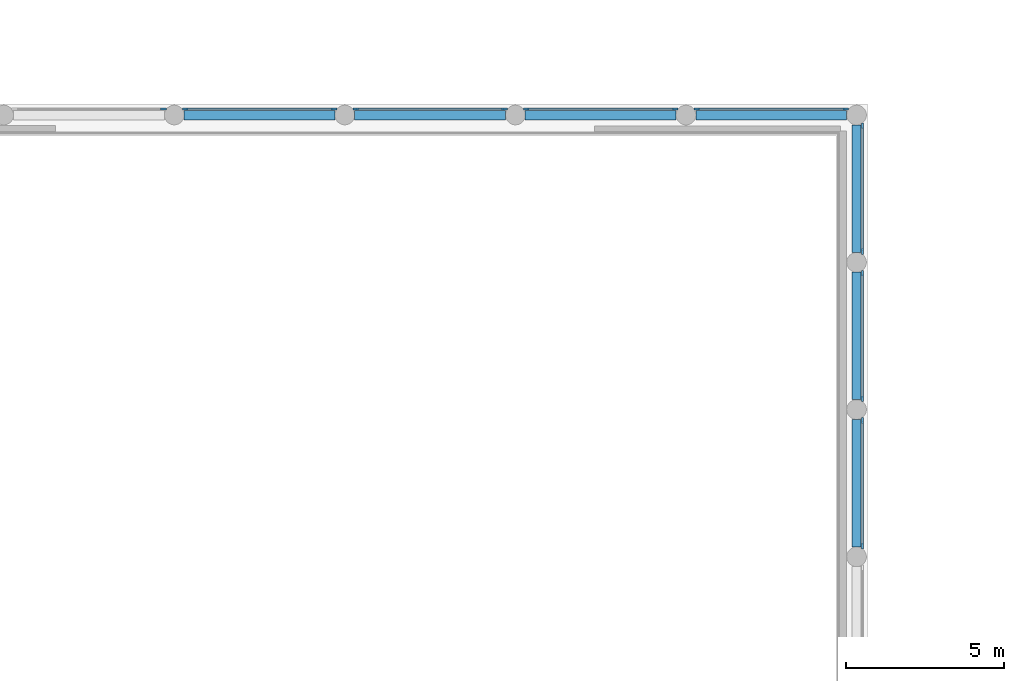
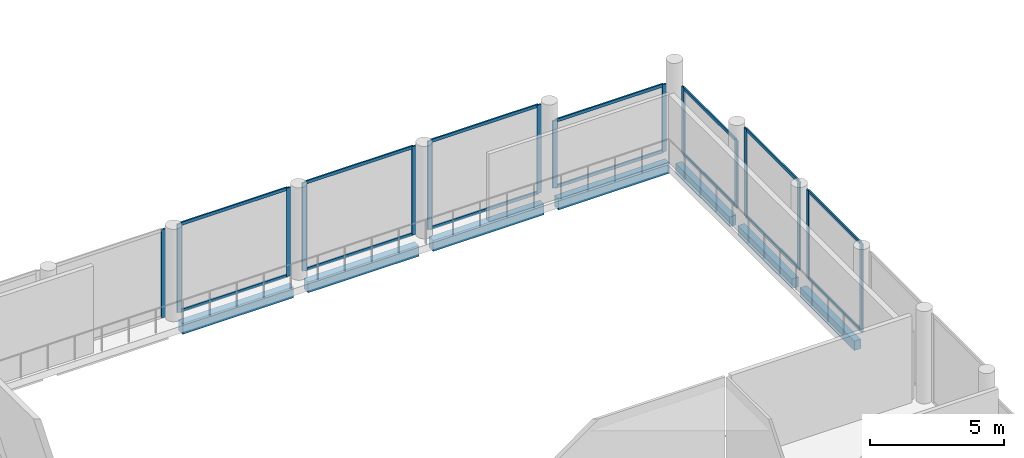
# One storey, part 16 of 66: 29 members, 7 beams, 8 elements without a shape of their own.
"""IFC4 building model written with IfcOpenShell, lengths in metres."""

from ifc_helpers import new_model, si_unit, direction, frame, origin, origin_2d, place, context, subcontext, project, spatial, rectangle, extrude, material, layer, layer_set, material_profile, profile_set, type_object, element, aggregate, save


model = new_model("IFC4")

# Units and contexts
model_context = context("Model", 3, precision=1e-05, world=origin(), true_north=direction((0.0, 1.0)))
body_context = subcontext(model_context, "Body", "Model", "MODEL_VIEW")
ifc_project = project(units=[si_unit("LENGTHUNIT", "METRE"), si_unit("AREAUNIT", "SQUARE_METRE"), si_unit("VOLUMEUNIT", "CUBIC_METRE"), si_unit("PLANEANGLEUNIT", "RADIAN"), si_unit("MASSUNIT", "GRAM", prefix="KILO")], contexts=[model_context])

# Site, building, storey
site_placement = place(None, origin())
site = spatial("IfcSite", under=ifc_project, at=site_placement, CompositionType="ELEMENT")
building_placement = place(site_placement, origin())
building = spatial("IfcBuilding", under=site, at=building_placement, Name="Birchvale Park Specialist Clinic", CompositionType="ELEMENT")
storey_placement = place(building_placement, frame((0.0, 0.0, 5.39990234375)))
storey = spatial("IfcBuildingStorey", under=building, at=storey_placement, Name="L01", CompositionType="ELEMENT", Elevation=5.39990234375)

# Beams
ifc_material_1 = material(Name="Concrete C40/50", Category="concrete")
ifc_material_profile_1 = material_profile(ifc_material_1, rectangle(XDim=0.300048828125, YDim=0.489990234375, at=origin_2d()), Name="RCB-300x490")
ifc_profile_set_1 = profile_set([ifc_material_profile_1], Name="Concrete C40/50")
beam_type_1 = type_object("IfcBeamType", Name="BM-EXT-BG8", PredefinedType="BEAM", material=ifc_profile_set_1)
for number, where, z_axis, x_axis, name in (
    (1, (68.6171875, 63.050048828125, -0.56494140625), (1.0, 0.0, 0.0), (0.0, 1.0, 0.0), "V1 L01 X girder 25"),
    (2, (74.0029296875, 63.050048828125, -0.56494140625), (1.0, 0.0, 0.0), (0.0, 1.0, 0.0), "V1 L01 X girder 26"),
    (3, (79.388671875, 63.050048828125, -0.56494140625), (1.0, 0.0, 0.0), (0.0, 1.0, 0.0), "V1 L01 X girder 27"),
    (4, (84.7744140625, 63.050048828125, -0.56494140625), (1.0, 0.0, 0.0), (0.0, 1.0, 0.0), "V1 L01 X girder 28"),
):
    element("IfcBeam", number, at=place(storey_placement, frame(where, z_axis=z_axis, x_axis=x_axis)), inside=storey, type_object=beam_type_1, Name=name, PredefinedType="BEAM", context=body_context, shape_type="SweptSolid", body=[
        extrude(rectangle(XDim=0.300048828125, YDim=0.489990234375, at=origin_2d()), origin(), (0.0, 0.0, 1.0), 4.765625),
    ])
ifc_material_profile_2 = material_profile(ifc_material_1, rectangle(XDim=0.280029296875, YDim=0.43994140625, at=origin_2d()), Name="RCB-280x440")
ifc_profile_set_2 = profile_set([ifc_material_profile_2], Name="Concrete C40/50")
beam_type_2 = type_object("IfcBeamType", Name="BM-EXT-BG9", PredefinedType="BEAM", material=ifc_profile_set_2)
for number, where, z_axis, x_axis, name in (
    (5, (89.85009765625, 49.409912109375, -0.539794921875), (0.0, 1.0, 0.0), (-1.0, 0.0, 0.0), "V1 L01 Y girder 50"),
    (6, (89.85009765625, 54.06005859375, -0.539794921875), (0.0, 1.0, 0.0), (-1.0, 0.0, 0.0), "V1 L01 Y girder 51"),
    (7, (89.85009765625, 58.7099609375, -0.539794921875), (0.0, 1.0, 0.0), (-1.0, 0.0, 0.0), "V1 L01 Y girder 52"),
):
    element("IfcBeam", number, at=place(storey_placement, frame(where, z_axis=z_axis, x_axis=x_axis)), inside=storey, type_object=beam_type_2, Name=name, PredefinedType="BEAM", context=body_context, shape_type="SweptSolid", body=[
        extrude(rectangle(XDim=0.280029296875, YDim=0.43994140625, at=origin_2d()), origin(), (0.0, 0.0, 1.0), 4.030029296875),
    ])

# Curtain wall, members
ifc_material_2 = material(Name="Thermally broken anodised aluminium", Category="aluminium")
ifc_layer = layer(ifc_material_2, 0.195068359375)
ifc_layer_set = layer_set([ifc_layer], Name="Thermally broken anodised aluminium")
curtain_wall_type = type_object("IfcCurtainWallType", Name="CW-U2", PredefinedType="USERDEFINED", material=ifc_layer_set)
curtain_wall_1_placement = place(storey_placement, origin())
curtain_wall_1 = element("IfcCurtainWall", 8, at=curtain_wall_1_placement, inside=storey, type_object=curtain_wall_type, Name="V1 L01 glazed curtain wall 71", ObjectType="UNITISED", PredefinedType="USERDEFINED")
ifc_material_profile_3 = material_profile(ifc_material_2, rectangle(XDim=0.06494140625, YDim=0.179931640625, at=origin_2d()), Name="CWM-65x180")
ifc_profile_set_3 = profile_set([ifc_material_profile_3], Name="Thermally broken anodised aluminium")
member_type_1 = type_object("IfcMemberType", Name="CWM2", PredefinedType="MULLION", material=ifc_profile_set_3)
member_1_placement = place(storey_placement, frame((90.034912109375, 49.4423828125, 0.0), z_axis=(0.0, 0.0, 1.0), x_axis=(-1.0, 0.0, 0.0)))
member_1 = element("IfcMember", 9, at=member_1_placement, type_object=member_type_1, Name="CW mullion 1", PredefinedType="MULLION", context=body_context, shape_type="SweptSolid", body=[
    extrude(rectangle(XDim=0.06494140625, YDim=0.179931640625, at=origin_2d()), origin(), (0.0, 0.0, 1.0), 4.02001953125),
])
member_2_placement = place(storey_placement, frame((90.034912109375, 53.407470703125, 0.0), z_axis=(0.0, 0.0, 1.0), x_axis=(-1.0, 0.0, 0.0)))
member_2 = element("IfcMember", 10, at=member_2_placement, type_object=member_type_1, Name="CW mullion 2", PredefinedType="MULLION", context=body_context, shape_type="SweptSolid", body=[
    extrude(rectangle(XDim=0.06494140625, YDim=0.179931640625, at=origin_2d()), origin(), (0.0, 0.0, 1.0), 4.02001953125),
])

curtain_wall_2_placement = place(storey_placement, origin())
curtain_wall_2 = element("IfcCurtainWall", 11, at=curtain_wall_2_placement, inside=storey, type_object=curtain_wall_type, Name="V1 L01 glazed curtain wall 72", ObjectType="UNITISED", PredefinedType="USERDEFINED")
member_3_placement = place(storey_placement, frame((90.034912109375, 54.092529296875, 0.0), z_axis=(0.0, 0.0, 1.0), x_axis=(-1.0, 0.0, 0.0)))
member_3 = element("IfcMember", 12, at=member_3_placement, type_object=member_type_1, Name="CW mullion 1", PredefinedType="MULLION", context=body_context, shape_type="SweptSolid", body=[
    extrude(rectangle(XDim=0.06494140625, YDim=0.179931640625, at=origin_2d()), origin(), (0.0, 0.0, 1.0), 4.02001953125),
])
member_4_placement = place(storey_placement, frame((90.034912109375, 58.0576171875, 0.0), z_axis=(0.0, 0.0, 1.0), x_axis=(-1.0, 0.0, 0.0)))
member_4 = element("IfcMember", 13, at=member_4_placement, type_object=member_type_1, Name="CW mullion 2", PredefinedType="MULLION", context=body_context, shape_type="SweptSolid", body=[
    extrude(rectangle(XDim=0.06494140625, YDim=0.179931640625, at=origin_2d()), origin(), (0.0, 0.0, 1.0), 4.02001953125),
])

curtain_wall_3_placement = place(storey_placement, origin())
curtain_wall_3 = element("IfcCurtainWall", 14, at=curtain_wall_3_placement, inside=storey, type_object=curtain_wall_type, Name="V1 L01 glazed curtain wall 73", ObjectType="UNITISED", PredefinedType="USERDEFINED")
member_5_placement = place(storey_placement, frame((90.034912109375, 58.742431640625, 0.0), z_axis=(0.0, 0.0, 1.0), x_axis=(-1.0, 0.0, 0.0)))
member_5 = element("IfcMember", 15, at=member_5_placement, type_object=member_type_1, Name="CW mullion 1", PredefinedType="MULLION", context=body_context, shape_type="SweptSolid", body=[
    extrude(rectangle(XDim=0.06494140625, YDim=0.179931640625, at=origin_2d()), origin(), (0.0, 0.0, 1.0), 3.065185546875),
])
member_6_placement = place(storey_placement, frame((90.034912109375, 62.70751953125, 0.0), z_axis=(0.0, 0.0, 1.0), x_axis=(-1.0, 0.0, 0.0)))
member_6 = element("IfcMember", 16, at=member_6_placement, type_object=member_type_1, Name="CW mullion 2", PredefinedType="MULLION", context=body_context, shape_type="SweptSolid", body=[
    extrude(rectangle(XDim=0.06494140625, YDim=0.179931640625, at=origin_2d()), origin(), (0.0, 0.0, 1.0), 3.065185546875),
])

curtain_wall_4_placement = place(storey_placement, origin())
curtain_wall_4 = element("IfcCurtainWall", 17, at=curtain_wall_4_placement, inside=storey, type_object=curtain_wall_type, Name="V1 L01 glazed curtain wall 74", ObjectType="UNITISED", PredefinedType="USERDEFINED")
member_7_placement = place(storey_placement, frame((89.507568359375, 63.235107421875, 0.0), z_axis=(0.0, 0.0, 1.0), x_axis=(0.0, -1.0, 0.0)))
member_7 = element("IfcMember", 18, at=member_7_placement, type_object=member_type_1, Name="CW mullion 1", PredefinedType="MULLION", context=body_context, shape_type="SweptSolid", body=[
    extrude(rectangle(XDim=0.06494140625, YDim=0.179931640625, at=origin_2d()), origin(), (0.0, 0.0, 1.0), 3.065185546875),
])
member_8_placement = place(storey_placement, frame((84.806884765625, 63.235107421875, 0.0), z_axis=(0.0, 0.0, 1.0), x_axis=(0.0, -1.0, 0.0)))
member_8 = element("IfcMember", 19, at=member_8_placement, type_object=member_type_1, Name="CW mullion 2", PredefinedType="MULLION", context=body_context, shape_type="SweptSolid", body=[
    extrude(rectangle(XDim=0.06494140625, YDim=0.179931640625, at=origin_2d()), origin(), (0.0, 0.0, 1.0), 3.065185546875),
])

curtain_wall_5_placement = place(storey_placement, origin())
curtain_wall_5 = element("IfcCurtainWall", 20, at=curtain_wall_5_placement, inside=storey, type_object=curtain_wall_type, Name="V1 L01 glazed curtain wall 75", ObjectType="UNITISED", PredefinedType="USERDEFINED")
member_9_placement = place(storey_placement, frame((84.121826171875, 63.235107421875, 0.0), z_axis=(0.0, 0.0, 1.0), x_axis=(0.0, -1.0, 0.0)))
member_9 = element("IfcMember", 21, at=member_9_placement, type_object=member_type_1, Name="CW mullion 1", PredefinedType="MULLION", context=body_context, shape_type="SweptSolid", body=[
    extrude(rectangle(XDim=0.06494140625, YDim=0.179931640625, at=origin_2d()), origin(), (0.0, 0.0, 1.0), 4.02001953125),
])
member_10_placement = place(storey_placement, frame((79.421142578125, 63.235107421875, 0.0), z_axis=(0.0, 0.0, 1.0), x_axis=(0.0, -1.0, 0.0)))
member_10 = element("IfcMember", 22, at=member_10_placement, type_object=member_type_1, Name="CW mullion 2", PredefinedType="MULLION", context=body_context, shape_type="SweptSolid", body=[
    extrude(rectangle(XDim=0.06494140625, YDim=0.179931640625, at=origin_2d()), origin(), (0.0, 0.0, 1.0), 4.02001953125),
])

curtain_wall_6_placement = place(storey_placement, origin())
curtain_wall_6 = element("IfcCurtainWall", 23, at=curtain_wall_6_placement, inside=storey, type_object=curtain_wall_type, Name="V1 L01 glazed curtain wall 76", ObjectType="UNITISED", PredefinedType="USERDEFINED")
member_11_placement = place(storey_placement, frame((78.736083984375, 63.235107421875, 0.0), z_axis=(0.0, 0.0, 1.0), x_axis=(0.0, -1.0, 0.0)))
member_11 = element("IfcMember", 24, at=member_11_placement, type_object=member_type_1, Name="CW mullion 1", PredefinedType="MULLION", context=body_context, shape_type="SweptSolid", body=[
    extrude(rectangle(XDim=0.06494140625, YDim=0.179931640625, at=origin_2d()), origin(), (0.0, 0.0, 1.0), 4.02001953125),
])
member_12_placement = place(storey_placement, frame((74.035400390625, 63.235107421875, 0.0), z_axis=(0.0, 0.0, 1.0), x_axis=(0.0, -1.0, 0.0)))
member_12 = element("IfcMember", 25, at=member_12_placement, type_object=member_type_1, Name="CW mullion 2", PredefinedType="MULLION", context=body_context, shape_type="SweptSolid", body=[
    extrude(rectangle(XDim=0.06494140625, YDim=0.179931640625, at=origin_2d()), origin(), (0.0, 0.0, 1.0), 4.02001953125),
])

curtain_wall_7_placement = place(storey_placement, origin())
curtain_wall_7 = element("IfcCurtainWall", 26, at=curtain_wall_7_placement, inside=storey, type_object=curtain_wall_type, Name="V1 L01 glazed curtain wall 77", ObjectType="UNITISED", PredefinedType="USERDEFINED")
member_13_placement = place(storey_placement, frame((73.350341796875, 63.235107421875, 0.0), z_axis=(0.0, 0.0, 1.0), x_axis=(0.0, -1.0, 0.0)))
member_13 = element("IfcMember", 27, at=member_13_placement, type_object=member_type_1, Name="CW mullion 1", PredefinedType="MULLION", context=body_context, shape_type="SweptSolid", body=[
    extrude(rectangle(XDim=0.06494140625, YDim=0.179931640625, at=origin_2d()), origin(), (0.0, 0.0, 1.0), 4.02001953125),
])
member_14_placement = place(storey_placement, frame((68.649658203125, 63.235107421875, 0.0), z_axis=(0.0, 0.0, 1.0), x_axis=(0.0, -1.0, 0.0)))
member_14 = element("IfcMember", 28, at=member_14_placement, type_object=member_type_1, Name="CW mullion 2", PredefinedType="MULLION", context=body_context, shape_type="SweptSolid", body=[
    extrude(rectangle(XDim=0.06494140625, YDim=0.179931640625, at=origin_2d()), origin(), (0.0, 0.0, 1.0), 4.02001953125),
])

# Curtain wall, member
curtain_wall_8_placement = place(storey_placement, origin())
curtain_wall_8 = element("IfcCurtainWall", 29, at=curtain_wall_8_placement, inside=storey, type_object=curtain_wall_type, Name="V1 L01 glazed curtain wall 78", ObjectType="UNITISED", PredefinedType="USERDEFINED")
member_15_placement = place(storey_placement, frame((67.964599609375, 63.235107421875, 0.0), z_axis=(0.0, 0.0, 1.0), x_axis=(0.0, -1.0, 0.0)))
member_15 = element("IfcMember", 30, at=member_15_placement, type_object=member_type_1, Name="CW mullion 1", PredefinedType="MULLION", context=body_context, shape_type="SweptSolid", body=[
    extrude(rectangle(XDim=0.06494140625, YDim=0.179931640625, at=origin_2d()), origin(), (0.0, 0.0, 1.0), 4.02001953125),
])
aggregate(curtain_wall_8, [member_15])

# Member
ifc_material_profile_4 = material_profile(ifc_material_2, rectangle(XDim=0.06494140625, YDim=0.139892578125, at=origin_2d()), Name="CWT-65x140")
ifc_profile_set_4 = profile_set([ifc_material_profile_4], Name="Thermally broken anodised aluminium")
member_type_2 = type_object("IfcMemberType", Name="CWT2", PredefinedType="USERDEFINED", material=ifc_profile_set_4)
member_16_placement = place(storey_placement, frame((90.034912109375, 49.47509765625, 0.03271484375), z_axis=(0.0, 1.0, 0.0), x_axis=(-1.0, 0.0, 0.0)))
member_16 = element("IfcMember", 31, at=member_16_placement, type_object=member_type_2, Name="CW transom 1.1", ObjectType="TRANSOM", PredefinedType="USERDEFINED", context=body_context, shape_type="SweptSolid", body=[
    extrude(rectangle(XDim=0.06494140625, YDim=0.139892578125, at=origin_2d()), origin(), (0.0, 0.0, 1.0), 3.89990234375),
])

member_17_placement = place(storey_placement, frame((90.034912109375, 49.47509765625, 3.987548828125), z_axis=(0.0, 1.0, 0.0), x_axis=(-1.0, 0.0, 0.0)))
member_17 = element("IfcMember", 32, at=member_17_placement, type_object=member_type_2, Name="CW transom 1.2", ObjectType="TRANSOM", PredefinedType="USERDEFINED", context=body_context, shape_type="SweptSolid", body=[
    extrude(rectangle(XDim=0.06494140625, YDim=0.139892578125, at=origin_2d()), origin(), (0.0, 0.0, 1.0), 3.89990234375),
])

aggregate(curtain_wall_1, [member_1, member_2, member_16, member_17])

member_18_placement = place(storey_placement, frame((90.034912109375, 54.125, 0.03271484375), z_axis=(0.0, 1.0, 0.0), x_axis=(-1.0, 0.0, 0.0)))
member_18 = element("IfcMember", 33, at=member_18_placement, type_object=member_type_2, Name="CW transom 1.1", ObjectType="TRANSOM", PredefinedType="USERDEFINED", context=body_context, shape_type="SweptSolid", body=[
    extrude(rectangle(XDim=0.06494140625, YDim=0.139892578125, at=origin_2d()), origin(), (0.0, 0.0, 1.0), 3.89990234375),
])

member_19_placement = place(storey_placement, frame((90.034912109375, 54.125, 3.987548828125), z_axis=(0.0, 1.0, 0.0), x_axis=(-1.0, 0.0, 0.0)))
member_19 = element("IfcMember", 34, at=member_19_placement, type_object=member_type_2, Name="CW transom 1.2", ObjectType="TRANSOM", PredefinedType="USERDEFINED", context=body_context, shape_type="SweptSolid", body=[
    extrude(rectangle(XDim=0.06494140625, YDim=0.139892578125, at=origin_2d()), origin(), (0.0, 0.0, 1.0), 3.89990234375),
])

aggregate(curtain_wall_2, [member_3, member_4, member_18, member_19])

member_20_placement = place(storey_placement, frame((90.034912109375, 58.77490234375, 0.03271484375), z_axis=(0.0, 1.0, 0.0), x_axis=(-1.0, 0.0, 0.0)))
member_20 = element("IfcMember", 35, at=member_20_placement, type_object=member_type_2, Name="CW transom 1.1", ObjectType="TRANSOM", PredefinedType="USERDEFINED", context=body_context, shape_type="SweptSolid", body=[
    extrude(rectangle(XDim=0.06494140625, YDim=0.139892578125, at=origin_2d()), origin(), (0.0, 0.0, 1.0), 3.900146484375),
])

member_21_placement = place(storey_placement, frame((90.034912109375, 58.77490234375, 3.03271484375), z_axis=(0.0, 1.0, 0.0), x_axis=(-1.0, 0.0, 0.0)))
member_21 = element("IfcMember", 36, at=member_21_placement, type_object=member_type_2, Name="CW transom 1.2", ObjectType="TRANSOM", PredefinedType="USERDEFINED", context=body_context, shape_type="SweptSolid", body=[
    extrude(rectangle(XDim=0.06494140625, YDim=0.139892578125, at=origin_2d()), origin(), (0.0, 0.0, 1.0), 3.900146484375),
])

aggregate(curtain_wall_3, [member_5, member_6, member_20, member_21])

member_22_placement = place(storey_placement, frame((89.47509765625, 63.235107421875, 0.03271484375), z_axis=(-1.0, 0.0, 0.0), x_axis=(0.0, -1.0, 0.0)))
member_22 = element("IfcMember", 37, at=member_22_placement, type_object=member_type_2, Name="CW transom 1.1", ObjectType="TRANSOM", PredefinedType="USERDEFINED", context=body_context, shape_type="SweptSolid", body=[
    extrude(rectangle(XDim=0.06494140625, YDim=0.139892578125, at=origin_2d()), origin(), (0.0, 0.0, 1.0), 4.6357421875),
])

member_23_placement = place(storey_placement, frame((89.47509765625, 63.235107421875, 3.03271484375), z_axis=(-1.0, 0.0, 0.0), x_axis=(0.0, -1.0, 0.0)))
member_23 = element("IfcMember", 38, at=member_23_placement, type_object=member_type_2, Name="CW transom 1.2", ObjectType="TRANSOM", PredefinedType="USERDEFINED", context=body_context, shape_type="SweptSolid", body=[
    extrude(rectangle(XDim=0.06494140625, YDim=0.139892578125, at=origin_2d()), origin(), (0.0, 0.0, 1.0), 4.6357421875),
])

aggregate(curtain_wall_4, [member_7, member_8, member_22, member_23])

member_24_placement = place(storey_placement, frame((84.08935546875, 63.235107421875, 0.03271484375), z_axis=(-1.0, 0.0, 0.0), x_axis=(0.0, -1.0, 0.0)))
member_24 = element("IfcMember", 39, at=member_24_placement, type_object=member_type_2, Name="CW transom 1.1", ObjectType="TRANSOM", PredefinedType="USERDEFINED", context=body_context, shape_type="SweptSolid", body=[
    extrude(rectangle(XDim=0.06494140625, YDim=0.139892578125, at=origin_2d()), origin(), (0.0, 0.0, 1.0), 4.6357421875),
])

member_25_placement = place(storey_placement, frame((84.08935546875, 63.235107421875, 3.987548828125), z_axis=(-1.0, 0.0, 0.0), x_axis=(0.0, -1.0, 0.0)))
member_25 = element("IfcMember", 40, at=member_25_placement, type_object=member_type_2, Name="CW transom 1.2", ObjectType="TRANSOM", PredefinedType="USERDEFINED", context=body_context, shape_type="SweptSolid", body=[
    extrude(rectangle(XDim=0.06494140625, YDim=0.139892578125, at=origin_2d()), origin(), (0.0, 0.0, 1.0), 4.6357421875),
])

aggregate(curtain_wall_5, [member_9, member_10, member_24, member_25])

member_26_placement = place(storey_placement, frame((78.70361328125, 63.235107421875, 0.03271484375), z_axis=(-1.0, 0.0, 0.0), x_axis=(0.0, -1.0, 0.0)))
member_26 = element("IfcMember", 41, at=member_26_placement, type_object=member_type_2, Name="CW transom 1.1", ObjectType="TRANSOM", PredefinedType="USERDEFINED", context=body_context, shape_type="SweptSolid", body=[
    extrude(rectangle(XDim=0.06494140625, YDim=0.139892578125, at=origin_2d()), origin(), (0.0, 0.0, 1.0), 4.6357421875),
])

member_27_placement = place(storey_placement, frame((78.70361328125, 63.235107421875, 3.987548828125), z_axis=(-1.0, 0.0, 0.0), x_axis=(0.0, -1.0, 0.0)))
member_27 = element("IfcMember", 42, at=member_27_placement, type_object=member_type_2, Name="CW transom 1.2", ObjectType="TRANSOM", PredefinedType="USERDEFINED", context=body_context, shape_type="SweptSolid", body=[
    extrude(rectangle(XDim=0.06494140625, YDim=0.139892578125, at=origin_2d()), origin(), (0.0, 0.0, 1.0), 4.6357421875),
])

aggregate(curtain_wall_6, [member_11, member_12, member_26, member_27])

member_28_placement = place(storey_placement, frame((73.31787109375, 63.235107421875, 0.03271484375), z_axis=(-1.0, 0.0, 0.0), x_axis=(0.0, -1.0, 0.0)))
member_28 = element("IfcMember", 43, at=member_28_placement, type_object=member_type_2, Name="CW transom 1.1", ObjectType="TRANSOM", PredefinedType="USERDEFINED", context=body_context, shape_type="SweptSolid", body=[
    extrude(rectangle(XDim=0.06494140625, YDim=0.139892578125, at=origin_2d()), origin(), (0.0, 0.0, 1.0), 4.6357421875),
])

member_29_placement = place(storey_placement, frame((73.31787109375, 63.235107421875, 3.987548828125), z_axis=(-1.0, 0.0, 0.0), x_axis=(0.0, -1.0, 0.0)))
member_29 = element("IfcMember", 44, at=member_29_placement, type_object=member_type_2, Name="CW transom 1.2", ObjectType="TRANSOM", PredefinedType="USERDEFINED", context=body_context, shape_type="SweptSolid", body=[
    extrude(rectangle(XDim=0.06494140625, YDim=0.139892578125, at=origin_2d()), origin(), (0.0, 0.0, 1.0), 4.6357421875),
])

aggregate(curtain_wall_7, [member_13, member_14, member_28, member_29])

save(model, "model.ifc")
